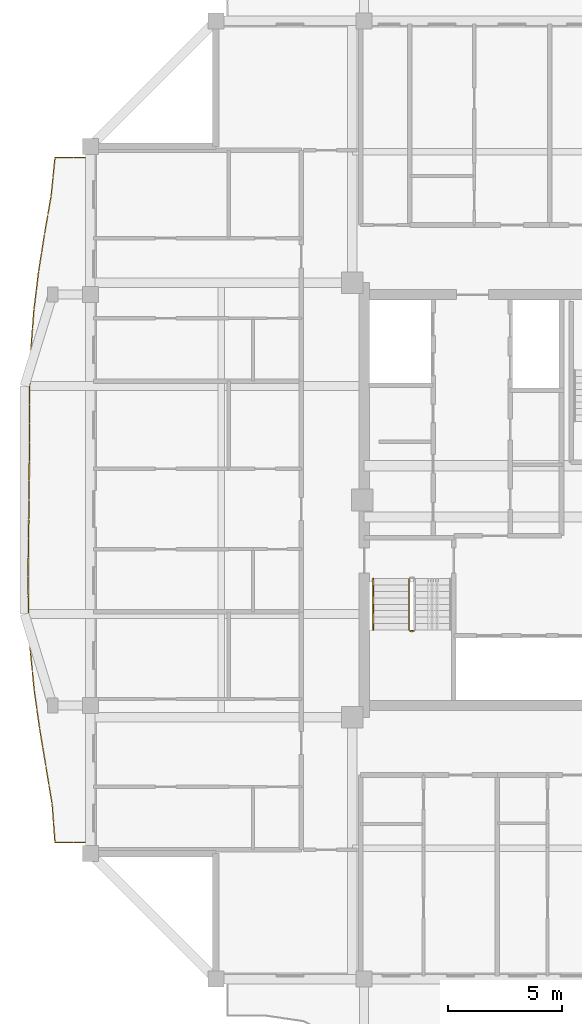
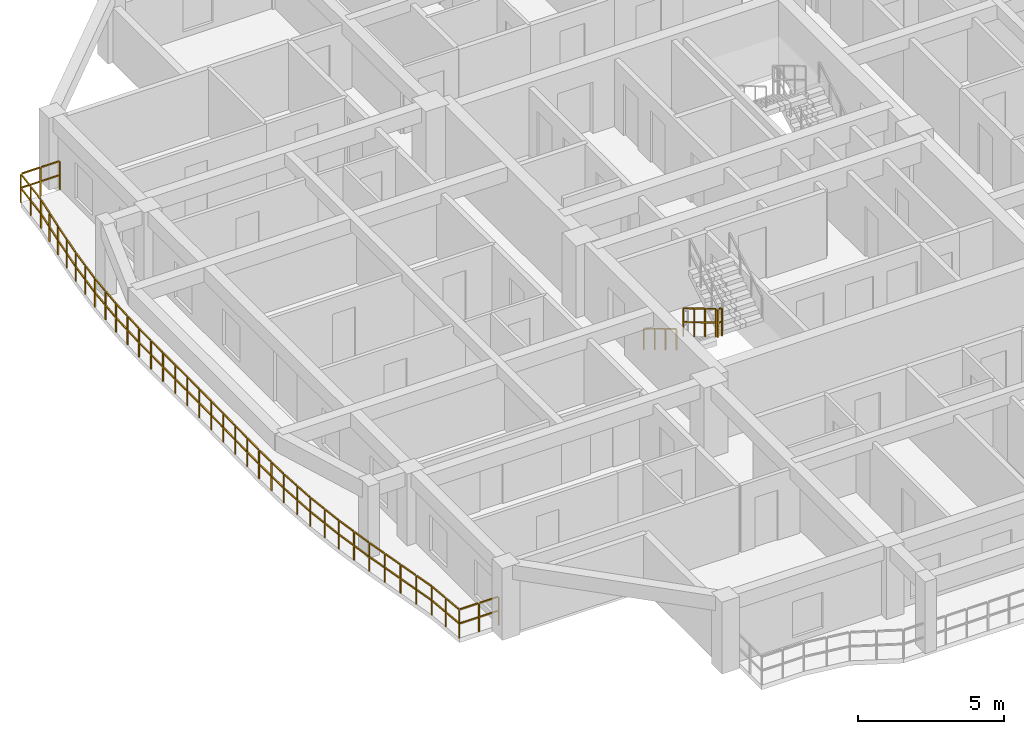
# One storey, part 11 of 14: 4 railings.
"""IFC4 building model written with IfcOpenShell, lengths in metres."""

from ifc_helpers import new_model, si_unit, direction, frame, origin, origin_2d, place, context, subcontext, project, spatial, rectangle, extrude, material, type_object, element, save


model = new_model("IFC4")

# Units and contexts
model_context = context("Model", 3, precision=1e-05, world=origin(), true_north=direction((0.0, 1.0)))
body_context = subcontext(model_context, "Body", "Model", "MODEL_VIEW")
ifc_project = project(units=[si_unit("LENGTHUNIT", "METRE"), si_unit("AREAUNIT", "SQUARE_METRE"), si_unit("VOLUMEUNIT", "CUBIC_METRE"), si_unit("PLANEANGLEUNIT", "RADIAN"), si_unit("MASSUNIT", "GRAM", prefix="KILO")], contexts=[model_context])

# Site, building, storey
site_placement = place(None, origin())
site = spatial("IfcSite", under=ifc_project, at=site_placement, CompositionType="ELEMENT")
building_placement = place(site_placement, origin())
building = spatial("IfcBuilding", under=site, at=building_placement, Name="Saelheon Loggia Tower", CompositionType="ELEMENT")
storey_placement = place(building_placement, frame((0.0, 0.0, 213.300048828125)))
storey = spatial("IfcBuildingStorey", under=building, at=storey_placement, Name="L66", CompositionType="ELEMENT", Elevation=213.300048828125)

# Railings
ifc_material_1 = material(Name="Architectural Precast Concrete and Laminated Glass Guard", Category="concrete")
railing_type_1 = type_object("IfcRailingType", Name="Guard_Loggia_RL_LOG", PredefinedType="BALUSTRADE", material=ifc_material_1)
railing_1_placement = place(storey_placement, frame((19.5, 42.0, 0.0)))
element("IfcRailing", 1, at=railing_1_placement, inside=storey, type_object=railing_type_1, Name="L66 West Loggia Balustrade", PredefinedType="BALUSTRADE", context=body_context, shape_type="SweptSolid", body=[
    extrude(rectangle(XDim=0.048095703125, YDim=0.048095703125, at=origin_2d()), frame((-0.033203125, 0.0, 1.19580078125), z_axis=(-1.0, 0.0, 0.0), x_axis=(0.0, -1.0, 0.0)), (0.0, 0.0, 1.0), 0.70849609375),
    extrude(rectangle(XDim=0.048095703125, YDim=0.048095703125, at=origin_2d()), frame((-0.033203125, 0.0, 0.60986328125), z_axis=(-1.0, 0.0, 0.0), x_axis=(0.0, -1.0, 0.0)), (0.0, 0.0, 1.0), 0.70849609375),
    extrude(rectangle(XDim=0.048095703125, YDim=0.048095703125, at=origin_2d()), frame((-0.808349609375, 0.0, 1.19580078125), z_axis=(-1.0, 0.0, 0.0), x_axis=(0.0, -1.0, 0.0)), (0.0, 0.0, 1.0), 0.70849609375),
    extrude(rectangle(XDim=0.048095703125, YDim=0.048095703125, at=origin_2d()), frame((-0.808349609375, 0.0, 0.60986328125), z_axis=(-1.0, 0.0, 0.0), x_axis=(0.0, -1.0, 0.0)), (0.0, 0.0, 1.0), 0.70849609375),
    extrude(rectangle(XDim=0.048095703125, YDim=0.048095703125, at=origin_2d()), frame((-1.553466796875, -0.032958984375, 1.19580078125), z_axis=(-0.100556993811, -0.994931299636, 0.0), x_axis=(0.994931299636, -0.100556993811, 0.0)), (0.0, 0.0, 1.0), 0.771240234375),
    extrude(rectangle(XDim=0.048095703125, YDim=0.048095703125, at=origin_2d()), frame((-1.553466796875, -0.032958984375, 0.60986328125), z_axis=(-0.100556993811, -0.994931299636, 0.0), x_axis=(0.994931299636, -0.100556993811, 0.0)), (0.0, 0.0, 1.0), 0.771240234375),
    extrude(rectangle(XDim=0.048095703125, YDim=0.048095703125, at=origin_2d()), frame((-1.6376953125, -0.866455078125, 1.19580078125), z_axis=(-0.100556993811, -0.994931299636, 0.0), x_axis=(0.994931299636, -0.100556993811, 0.0)), (0.0, 0.0, 1.0), 0.771240234375),
    extrude(rectangle(XDim=0.048095703125, YDim=0.048095703125, at=origin_2d()), frame((-1.6376953125, -0.866455078125, 0.60986328125), z_axis=(-0.100556993811, -0.994931299636, 0.0), x_axis=(0.994931299636, -0.100556993811, 0.0)), (0.0, 0.0, 1.0), 0.771240234375),
    extrude(rectangle(XDim=0.048095703125, YDim=0.048095703125, at=origin_2d()), frame((-1.72412109375, -1.699462890625, 1.19580078125), z_axis=(-0.171042688029, -0.985263618973, 0.0), x_axis=(0.985263618973, -0.171042688029, 0.0)), (0.0, 0.0, 1.0), 0.779296875),
    extrude(rectangle(XDim=0.048095703125, YDim=0.048095703125, at=origin_2d()), frame((-1.72412109375, -1.699462890625, 0.60986328125), z_axis=(-0.171042688029, -0.985263618973, 0.0), x_axis=(0.985263618973, -0.171042688029, 0.0)), (0.0, 0.0, 1.0), 0.779296875),
    extrude(rectangle(XDim=0.048095703125, YDim=0.048095703125, at=origin_2d()), frame((-1.868896484375, -2.53271484375, 1.19580078125), z_axis=(-0.171042688029, -0.985263618973, 0.0), x_axis=(0.985263618973, -0.171042688029, 0.0)), (0.0, 0.0, 1.0), 0.779296875),
    extrude(rectangle(XDim=0.048095703125, YDim=0.048095703125, at=origin_2d()), frame((-1.868896484375, -2.53271484375, 0.60986328125), z_axis=(-0.171042688029, -0.985263618973, 0.0), x_axis=(0.985263618973, -0.171042688029, 0.0)), (0.0, 0.0, 1.0), 0.779296875),
    extrude(rectangle(XDim=0.048095703125, YDim=0.048095703125, at=origin_2d()), frame((-2.012939453125, -3.365966796875, 1.19580078125), z_axis=(-0.155970003219, -0.987761792183, 0.0), x_axis=(0.987761792183, -0.155970003219, 0.0)), (0.0, 0.0, 1.0), 0.77734375),
    extrude(rectangle(XDim=0.048095703125, YDim=0.048095703125, at=origin_2d()), frame((-2.012939453125, -3.365966796875, 0.60986328125), z_axis=(-0.155970003219, -0.987761792183, 0.0), x_axis=(0.987761792183, -0.155970003219, 0.0)), (0.0, 0.0, 1.0), 0.77734375),
    extrude(rectangle(XDim=0.048095703125, YDim=0.048095703125, at=origin_2d()), frame((-2.14453125, -4.199462890625, 1.19580078125), z_axis=(-0.155970003219, -0.987761792183, 0.0), x_axis=(0.987761792183, -0.155970003219, 0.0)), (0.0, 0.0, 1.0), 0.77734375),
    extrude(rectangle(XDim=0.048095703125, YDim=0.048095703125, at=origin_2d()), frame((-2.14453125, -4.199462890625, 0.60986328125), z_axis=(-0.155970003219, -0.987761792183, 0.0), x_axis=(0.987761792183, -0.155970003219, 0.0)), (0.0, 0.0, 1.0), 0.77734375),
    extrude(rectangle(XDim=0.048095703125, YDim=0.048095703125, at=origin_2d()), frame((-2.27490234375, -5.032958984375, 1.19580078125), z_axis=(-0.12054414894, -0.992707967207, 0.0), x_axis=(0.992707967207, -0.12054414894, 0.0)), (0.0, 0.0, 1.0), 0.77294921875),
    extrude(rectangle(XDim=0.048095703125, YDim=0.048095703125, at=origin_2d()), frame((-2.27490234375, -5.032958984375, 0.60986328125), z_axis=(-0.12054414894, -0.992707967207, 0.0), x_axis=(0.992707967207, -0.12054414894, 0.0)), (0.0, 0.0, 1.0), 0.77294921875),
    extrude(rectangle(XDim=0.048095703125, YDim=0.048095703125, at=origin_2d()), frame((-2.376220703125, -5.866455078125, 1.19580078125), z_axis=(-0.12054414894, -0.992707967207, 0.0), x_axis=(0.992707967207, -0.12054414894, 0.0)), (0.0, 0.0, 1.0), 0.77294921875),
    extrude(rectangle(XDim=0.048095703125, YDim=0.048095703125, at=origin_2d()), frame((-2.376220703125, -5.866455078125, 0.60986328125), z_axis=(-0.12054414894, -0.992707967207, 0.0), x_axis=(0.992707967207, -0.12054414894, 0.0)), (0.0, 0.0, 1.0), 0.77294921875),
    extrude(rectangle(XDim=0.048095703125, YDim=0.048095703125, at=origin_2d()), frame((-2.475830078125, -6.699951171875, 1.19580078125), z_axis=(-0.075523507059, -0.997144021635, 0.0), x_axis=(0.997144021635, -0.075523507059, 0.0)), (0.0, 0.0, 1.0), 0.769287109375),
    extrude(rectangle(XDim=0.048095703125, YDim=0.048095703125, at=origin_2d()), frame((-2.475830078125, -6.699951171875, 0.60986328125), z_axis=(-0.075523507059, -0.997144021635, 0.0), x_axis=(0.997144021635, -0.075523507059, 0.0)), (0.0, 0.0, 1.0), 0.769287109375),
    extrude(rectangle(XDim=0.048095703125, YDim=0.048095703125, at=origin_2d()), frame((-2.5390625, -7.533203125, 1.19580078125), z_axis=(-0.075523507059, -0.997144021635, 0.0), x_axis=(0.997144021635, -0.075523507059, 0.0)), (0.0, 0.0, 1.0), 0.769287109375),
    extrude(rectangle(XDim=0.048095703125, YDim=0.048095703125, at=origin_2d()), frame((-2.5390625, -7.533203125, 0.60986328125), z_axis=(-0.075523507059, -0.997144021635, 0.0), x_axis=(0.997144021635, -0.075523507059, 0.0)), (0.0, 0.0, 1.0), 0.769287109375),
    extrude(rectangle(XDim=0.048095703125, YDim=0.048095703125, at=origin_2d()), frame((-2.600830078125, -8.366455078125, 1.19580078125), z_axis=(-0.034109333385, -0.999418107388, 0.0), x_axis=(0.999418107388, -0.034109333385, 0.0)), (0.0, 0.0, 1.0), 0.767333984375),
    extrude(rectangle(XDim=0.048095703125, YDim=0.048095703125, at=origin_2d()), frame((-2.600830078125, -8.366455078125, 0.60986328125), z_axis=(-0.034109333385, -0.999418107388, 0.0), x_axis=(0.999418107388, -0.034109333385, 0.0)), (0.0, 0.0, 1.0), 0.767333984375),
    extrude(rectangle(XDim=0.048095703125, YDim=0.048095703125, at=origin_2d()), frame((-2.629150390625, -9.199951171875, 1.19580078125), z_axis=(-0.034109333385, -0.999418107388, 0.0), x_axis=(0.999418107388, -0.034109333385, 0.0)), (0.0, 0.0, 1.0), 0.767333984375),
    extrude(rectangle(XDim=0.048095703125, YDim=0.048095703125, at=origin_2d()), frame((-2.629150390625, -9.199951171875, 0.60986328125), z_axis=(-0.034109333385, -0.999418107388, 0.0), x_axis=(0.999418107388, -0.034109333385, 0.0)), (0.0, 0.0, 1.0), 0.767333984375),
    extrude(rectangle(XDim=0.048095703125, YDim=0.048095703125, at=origin_2d()), frame((-2.65673828125, -10.033203125, 1.19580078125), z_axis=(-0.008348910706, -0.999965147238, 0.0), x_axis=(0.999965147238, -0.008348910706, 0.0)), (0.0, 0.0, 1.0), 0.766845703125),
    extrude(rectangle(XDim=0.048095703125, YDim=0.048095703125, at=origin_2d()), frame((-2.65673828125, -10.033203125, 0.60986328125), z_axis=(-0.008348910706, -0.999965147238, 0.0), x_axis=(0.999965147238, -0.008348910706, 0.0)), (0.0, 0.0, 1.0), 0.766845703125),
    extrude(rectangle(XDim=0.048095703125, YDim=0.048095703125, at=origin_2d()), frame((-2.663818359375, -10.86669921875, 1.19580078125), z_axis=(-0.008348910706, -0.999965147238, 0.0), x_axis=(0.999965147238, -0.008348910706, 0.0)), (0.0, 0.0, 1.0), 0.766845703125),
    extrude(rectangle(XDim=0.048095703125, YDim=0.048095703125, at=origin_2d()), frame((-2.663818359375, -10.86669921875, 0.60986328125), z_axis=(-0.008348910706, -0.999965147238, 0.0), x_axis=(0.999965147238, -0.008348910706, 0.0)), (0.0, 0.0, 1.0), 0.766845703125),
    extrude(rectangle(XDim=0.048095703125, YDim=0.048095703125, at=origin_2d()), frame((-2.67041015625, -11.699951171875, 1.19580078125), z_axis=(-0.00087899175, -0.999999613687, 0.0), x_axis=(0.999999613687, -0.00087899175, 0.0)), (0.0, 0.0, 1.0), 0.766845703125),
    extrude(rectangle(XDim=0.048095703125, YDim=0.048095703125, at=origin_2d()), frame((-2.67041015625, -11.699951171875, 0.60986328125), z_axis=(-0.00087899175, -0.999999613687, 0.0), x_axis=(0.999999613687, -0.00087899175, 0.0)), (0.0, 0.0, 1.0), 0.766845703125),
    extrude(rectangle(XDim=0.048095703125, YDim=0.048095703125, at=origin_2d()), frame((-2.671142578125, -12.533203125, 1.19580078125), z_axis=(-0.00087899175, -0.999999613687, 0.0), x_axis=(0.999999613687, -0.00087899175, 0.0)), (0.0, 0.0, 1.0), 0.766845703125),
    extrude(rectangle(XDim=0.048095703125, YDim=0.048095703125, at=origin_2d()), frame((-2.671142578125, -12.533203125, 0.60986328125), z_axis=(-0.00087899175, -0.999999613687, 0.0), x_axis=(0.999999613687, -0.00087899175, 0.0)), (0.0, 0.0, 1.0), 0.766845703125),
    extrude(rectangle(XDim=0.048095703125, YDim=0.048095703125, at=origin_2d()), frame((-2.672119140625, -13.366455078125, 1.19580078125), z_axis=(-0.007030732919, -0.999975284092, 0.0), x_axis=(0.999975284092, -0.007030732919, 0.0)), (0.0, 0.0, 1.0), 0.766845703125),
    extrude(rectangle(XDim=0.048095703125, YDim=0.048095703125, at=origin_2d()), frame((-2.672119140625, -13.366455078125, 0.60986328125), z_axis=(-0.007030732919, -0.999975284092, 0.0), x_axis=(0.999975284092, -0.007030732919, 0.0)), (0.0, 0.0, 1.0), 0.766845703125),
    extrude(rectangle(XDim=0.048095703125, YDim=0.048095703125, at=origin_2d()), frame((-2.677978515625, -14.199951171875, 1.19580078125), z_axis=(-0.007030732919, -0.999975284092, 0.0), x_axis=(0.999975284092, -0.007030732919, 0.0)), (0.0, 0.0, 1.0), 0.766845703125),
    extrude(rectangle(XDim=0.048095703125, YDim=0.048095703125, at=origin_2d()), frame((-2.677978515625, -14.199951171875, 0.60986328125), z_axis=(-0.007030732919, -0.999975284092, 0.0), x_axis=(0.999975284092, -0.007030732919, 0.0)), (0.0, 0.0, 1.0), 0.766845703125),
    extrude(rectangle(XDim=0.048095703125, YDim=0.048095703125, at=origin_2d()), frame((-2.68408203125, -15.033203125, 1.19580078125), z_axis=(-0.014353289095, -0.99989698624, 0.0), x_axis=(0.99989698624, -0.014353289095, 0.0)), (0.0, 0.0, 1.0), 0.76708984375),
    extrude(rectangle(XDim=0.048095703125, YDim=0.048095703125, at=origin_2d()), frame((-2.68408203125, -15.033203125, 0.60986328125), z_axis=(-0.014353289095, -0.99989698624, 0.0), x_axis=(0.99989698624, -0.014353289095, 0.0)), (0.0, 0.0, 1.0), 0.76708984375),
    extrude(rectangle(XDim=0.048095703125, YDim=0.048095703125, at=origin_2d()), frame((-2.696044921875, -15.86669921875, 1.19580078125), z_axis=(-0.014353289095, -0.99989698624, 0.0), x_axis=(0.99989698624, -0.014353289095, 0.0)), (0.0, 0.0, 1.0), 0.76708984375),
    extrude(rectangle(XDim=0.048095703125, YDim=0.048095703125, at=origin_2d()), frame((-2.696044921875, -15.86669921875, 0.60986328125), z_axis=(-0.014353289095, -0.99989698624, 0.0), x_axis=(0.99989698624, -0.014353289095, 0.0)), (0.0, 0.0, 1.0), 0.76708984375),
    extrude(rectangle(XDim=0.048095703125, YDim=0.048095703125, at=origin_2d()), frame((-2.7080078125, -16.699951171875, 1.19580078125), z_axis=(-0.011279680844, -0.999936382376, 0.0), x_axis=(0.999936382376, -0.011279680844, 0.0)), (0.0, 0.0, 1.0), 0.766845703125),
    extrude(rectangle(XDim=0.048095703125, YDim=0.048095703125, at=origin_2d()), frame((-2.7080078125, -16.699951171875, 0.60986328125), z_axis=(-0.011279680844, -0.999936382376, 0.0), x_axis=(0.999936382376, -0.011279680844, 0.0)), (0.0, 0.0, 1.0), 0.766845703125),
    extrude(rectangle(XDim=0.048095703125, YDim=0.048095703125, at=origin_2d()), frame((-2.71728515625, -17.533203125, 1.19580078125), z_axis=(-0.011279680844, -0.999936382376, 0.0), x_axis=(0.999936382376, -0.011279680844, 0.0)), (0.0, 0.0, 1.0), 0.766845703125),
    extrude(rectangle(XDim=0.048095703125, YDim=0.048095703125, at=origin_2d()), frame((-2.71728515625, -17.533203125, 0.60986328125), z_axis=(-0.011279680844, -0.999936382376, 0.0), x_axis=(0.999936382376, -0.011279680844, 0.0)), (0.0, 0.0, 1.0), 0.766845703125),
    extrude(rectangle(XDim=0.048095703125, YDim=0.048095703125, at=origin_2d()), frame((-2.72607421875, -18.366455078125, 1.19580078125), z_axis=(0.010692226024, -0.999942836517, 0.0), x_axis=(0.999942836517, 0.010692226024, 0.0)), (0.0, 0.0, 1.0), 0.766845703125),
    extrude(rectangle(XDim=0.048095703125, YDim=0.048095703125, at=origin_2d()), frame((-2.72607421875, -18.366455078125, 0.60986328125), z_axis=(0.010692226024, -0.999942836517, 0.0), x_axis=(0.999942836517, 0.010692226024, 0.0)), (0.0, 0.0, 1.0), 0.766845703125),
    extrude(rectangle(XDim=0.048095703125, YDim=0.048095703125, at=origin_2d()), frame((-2.717041015625, -19.199951171875, 1.19580078125), z_axis=(0.010692226024, -0.999942836517, 0.0), x_axis=(0.999942836517, 0.010692226024, 0.0)), (0.0, 0.0, 1.0), 0.766845703125),
    extrude(rectangle(XDim=0.048095703125, YDim=0.048095703125, at=origin_2d()), frame((-2.717041015625, -19.199951171875, 0.60986328125), z_axis=(0.010692226024, -0.999942836517, 0.0), x_axis=(0.999942836517, 0.010692226024, 0.0)), (0.0, 0.0, 1.0), 0.766845703125),
    extrude(rectangle(XDim=0.048095703125, YDim=0.048095703125, at=origin_2d()), frame((-2.706787109375, -20.033203125, 1.19580078125), z_axis=(0.050178396497, -0.998740270804, 0.0), x_axis=(0.998740270804, 0.050178396497, 0.0)), (0.0, 0.0, 1.0), 0.76806640625),
    extrude(rectangle(XDim=0.048095703125, YDim=0.048095703125, at=origin_2d()), frame((-2.706787109375, -20.033203125, 0.60986328125), z_axis=(0.050178396497, -0.998740270804, 0.0), x_axis=(0.998740270804, 0.050178396497, 0.0)), (0.0, 0.0, 1.0), 0.76806640625),
    extrude(rectangle(XDim=0.048095703125, YDim=0.048095703125, at=origin_2d()), frame((-2.6650390625, -20.866455078125, 1.19580078125), z_axis=(0.050178396497, -0.998740270804, 0.0), x_axis=(0.998740270804, 0.050178396497, 0.0)), (0.0, 0.0, 1.0), 0.76806640625),
    extrude(rectangle(XDim=0.048095703125, YDim=0.048095703125, at=origin_2d()), frame((-2.6650390625, -20.866455078125, 0.60986328125), z_axis=(0.050178396497, -0.998740270804, 0.0), x_axis=(0.998740270804, 0.050178396497, 0.0)), (0.0, 0.0, 1.0), 0.76806640625),
    extrude(rectangle(XDim=0.048095703125, YDim=0.048095703125, at=origin_2d()), frame((-2.62158203125, -21.69970703125, 1.19580078125), z_axis=(0.097684686156, -0.995217414483, 0.0), x_axis=(0.995217414483, 0.097684686156, 0.0)), (0.0, 0.0, 1.0), 0.770751953125),
    extrude(rectangle(XDim=0.048095703125, YDim=0.048095703125, at=origin_2d()), frame((-2.62158203125, -21.69970703125, 0.60986328125), z_axis=(0.097684686156, -0.995217414483, 0.0), x_axis=(0.995217414483, 0.097684686156, 0.0)), (0.0, 0.0, 1.0), 0.770751953125),
    extrude(rectangle(XDim=0.048095703125, YDim=0.048095703125, at=origin_2d()), frame((-2.539794921875, -22.532958984375, 1.19580078125), z_axis=(0.097684686156, -0.995217414483, 0.0), x_axis=(0.995217414483, 0.097684686156, 0.0)), (0.0, 0.0, 1.0), 0.770751953125),
    extrude(rectangle(XDim=0.048095703125, YDim=0.048095703125, at=origin_2d()), frame((-2.539794921875, -22.532958984375, 0.60986328125), z_axis=(0.097684686156, -0.995217414483, 0.0), x_axis=(0.995217414483, 0.097684686156, 0.0)), (0.0, 0.0, 1.0), 0.770751953125),
    extrude(rectangle(XDim=0.048095703125, YDim=0.048095703125, at=origin_2d()), frame((-2.45654296875, -23.3662109375, 1.19580078125), z_axis=(0.139532622052, -0.990217474792, 0.0), x_axis=(0.990217474792, 0.139532622052, 0.0)), (0.0, 0.0, 1.0), 0.775146484375),
    extrude(rectangle(XDim=0.048095703125, YDim=0.048095703125, at=origin_2d()), frame((-2.45654296875, -23.3662109375, 0.60986328125), z_axis=(0.139532622052, -0.990217474792, 0.0), x_axis=(0.990217474792, 0.139532622052, 0.0)), (0.0, 0.0, 1.0), 0.775146484375),
    extrude(rectangle(XDim=0.048095703125, YDim=0.048095703125, at=origin_2d()), frame((-2.339111328125, -24.199462890625, 1.19580078125), z_axis=(0.139532622052, -0.990217474792, 0.0), x_axis=(0.990217474792, 0.139532622052, 0.0)), (0.0, 0.0, 1.0), 0.775146484375),
    extrude(rectangle(XDim=0.048095703125, YDim=0.048095703125, at=origin_2d()), frame((-2.339111328125, -24.199462890625, 0.60986328125), z_axis=(0.139532622052, -0.990217474792, 0.0), x_axis=(0.990217474792, 0.139532622052, 0.0)), (0.0, 0.0, 1.0), 0.775146484375),
    extrude(rectangle(XDim=0.048095703125, YDim=0.048095703125, at=origin_2d()), frame((-2.220947265625, -25.03271484375, 1.19580078125), z_axis=(0.163297476344, -0.986576876994, 0.0), x_axis=(0.986576876994, 0.163297476344, 0.0)), (0.0, 0.0, 1.0), 0.7783203125),
    extrude(rectangle(XDim=0.048095703125, YDim=0.048095703125, at=origin_2d()), frame((-2.220947265625, -25.03271484375, 0.60986328125), z_axis=(0.163297476344, -0.986576876994, 0.0), x_axis=(0.986576876994, 0.163297476344, 0.0)), (0.0, 0.0, 1.0), 0.7783203125),
    extrude(rectangle(XDim=0.048095703125, YDim=0.048095703125, at=origin_2d()), frame((-2.0830078125, -25.8662109375, 1.19580078125), z_axis=(0.163297476344, -0.986576876994, 0.0), x_axis=(0.986576876994, 0.163297476344, 0.0)), (0.0, 0.0, 1.0), 0.7783203125),
    extrude(rectangle(XDim=0.048095703125, YDim=0.048095703125, at=origin_2d()), frame((-2.0830078125, -25.8662109375, 0.60986328125), z_axis=(0.163297476344, -0.986576876994, 0.0), x_axis=(0.986576876994, 0.163297476344, 0.0)), (0.0, 0.0, 1.0), 0.7783203125),
    extrude(rectangle(XDim=0.048095703125, YDim=0.048095703125, at=origin_2d()), frame((-1.945068359375, -26.699462890625, 1.19580078125), z_axis=(0.164164640298, -0.986432953057, 0.0), x_axis=(0.986432953057, 0.164164640298, 0.0)), (0.0, 0.0, 1.0), 0.7783203125),
    extrude(rectangle(XDim=0.048095703125, YDim=0.048095703125, at=origin_2d()), frame((-1.945068359375, -26.699462890625, 0.60986328125), z_axis=(0.164164640298, -0.986432953057, 0.0), x_axis=(0.986432953057, 0.164164640298, 0.0)), (0.0, 0.0, 1.0), 0.7783203125),
    extrude(rectangle(XDim=0.048095703125, YDim=0.048095703125, at=origin_2d()), frame((-1.806396484375, -27.53271484375, 1.19580078125), z_axis=(0.164164640298, -0.986432953057, 0.0), x_axis=(0.986432953057, 0.164164640298, 0.0)), (0.0, 0.0, 1.0), 0.7783203125),
    extrude(rectangle(XDim=0.048095703125, YDim=0.048095703125, at=origin_2d()), frame((-1.806396484375, -27.53271484375, 0.60986328125), z_axis=(0.164164640298, -0.986432953057, 0.0), x_axis=(0.986432953057, 0.164164640298, 0.0)), (0.0, 0.0, 1.0), 0.7783203125),
    extrude(rectangle(XDim=0.048095703125, YDim=0.048095703125, at=origin_2d()), frame((-1.670654296875, -28.366455078125, 1.19580078125), z_axis=(0.073624164853, -0.997286058435, 0.0), x_axis=(0.997286058435, 0.073624164853, 0.0)), (0.0, 0.0, 1.0), 0.769287109375),
    extrude(rectangle(XDim=0.048095703125, YDim=0.048095703125, at=origin_2d()), frame((-1.670654296875, -28.366455078125, 0.60986328125), z_axis=(0.073624164853, -0.997286058435, 0.0), x_axis=(0.997286058435, 0.073624164853, 0.0)), (0.0, 0.0, 1.0), 0.769287109375),
    extrude(rectangle(XDim=0.048095703125, YDim=0.048095703125, at=origin_2d()), frame((-1.609130859375, -29.19970703125, 1.19580078125), z_axis=(0.073624164853, -0.997286058435, 0.0), x_axis=(0.997286058435, 0.073624164853, 0.0)), (0.0, 0.0, 1.0), 0.769287109375),
    extrude(rectangle(XDim=0.048095703125, YDim=0.048095703125, at=origin_2d()), frame((-1.609130859375, -29.19970703125, 0.60986328125), z_axis=(0.073624164853, -0.997286058435, 0.0), x_axis=(0.997286058435, 0.073624164853, 0.0)), (0.0, 0.0, 1.0), 0.769287109375),
    extrude(rectangle(XDim=0.048095703125, YDim=0.048095703125, at=origin_2d()), frame((-1.516845703125, -30.0, 1.19580078125), z_axis=(1.0, 0.0, 0.0), x_axis=(0.0, 1.0, 0.0)), (0.0, 0.0, 1.0), 0.70849609375),
    extrude(rectangle(XDim=0.048095703125, YDim=0.048095703125, at=origin_2d()), frame((-1.516845703125, -30.0, 0.60986328125), z_axis=(1.0, 0.0, 0.0), x_axis=(0.0, 1.0, 0.0)), (0.0, 0.0, 1.0), 0.70849609375),
    extrude(rectangle(XDim=0.048095703125, YDim=0.048095703125, at=origin_2d()), frame((-0.74169921875, -30.0, 1.19580078125), z_axis=(1.0, 0.0, 0.0), x_axis=(0.0, 1.0, 0.0)), (0.0, 0.0, 1.0), 0.70849609375),
    extrude(rectangle(XDim=0.048095703125, YDim=0.048095703125, at=origin_2d()), frame((-0.74169921875, -30.0, 0.60986328125), z_axis=(1.0, 0.0, 0.0), x_axis=(0.0, 1.0, 0.0)), (0.0, 0.0, 1.0), 0.70849609375),
    extrude(rectangle(XDim=0.0419921875, YDim=0.0419921875, at=origin_2d()), origin(), (0.0, 0.0, 1.0), 1.16796875),
    extrude(rectangle(XDim=0.0419921875, YDim=0.0419921875, at=origin_2d()), frame((-0.77490234375, 0.0, 0.0)), (0.0, 0.0, 1.0), 1.16796875),
    extrude(rectangle(XDim=0.0419921875, YDim=0.0419921875, at=origin_2d()), frame((-1.550048828125, 0.0, 0.0)), (0.0, 0.0, 1.0), 1.16796875),
    extrude(rectangle(XDim=0.0419921875, YDim=0.0419921875, at=origin_2d()), frame((-1.63427734375, -0.83349609375, 0.0)), (0.0, 0.0, 1.0), 1.16796875),
    extrude(rectangle(XDim=0.0419921875, YDim=0.0419921875, at=origin_2d()), frame((-1.718505859375, -1.666748046875, 0.0)), (0.0, 0.0, 1.0), 1.16796875),
    extrude(rectangle(XDim=0.0419921875, YDim=0.0419921875, at=origin_2d()), frame((-1.86328125, -2.5, 0.0)), (0.0, 0.0, 1.0), 1.16796875),
    extrude(rectangle(XDim=0.0419921875, YDim=0.0419921875, at=origin_2d()), frame((-2.0078125, -3.333251953125, 0.0)), (0.0, 0.0, 1.0), 1.16796875),
    extrude(rectangle(XDim=0.0419921875, YDim=0.0419921875, at=origin_2d()), frame((-2.139404296875, -4.16650390625, 0.0)), (0.0, 0.0, 1.0), 1.16796875),
    extrude(rectangle(XDim=0.0419921875, YDim=0.0419921875, at=origin_2d()), frame((-2.27099609375, -5.0, 0.0)), (0.0, 0.0, 1.0), 1.16796875),
    extrude(rectangle(XDim=0.0419921875, YDim=0.0419921875, at=origin_2d()), frame((-2.3720703125, -5.83349609375, 0.0)), (0.0, 0.0, 1.0), 1.16796875),
    extrude(rectangle(XDim=0.0419921875, YDim=0.0419921875, at=origin_2d()), frame((-2.473388671875, -6.666748046875, 0.0)), (0.0, 0.0, 1.0), 1.16796875),
    extrude(rectangle(XDim=0.0419921875, YDim=0.0419921875, at=origin_2d()), frame((-2.53662109375, -7.5, 0.0)), (0.0, 0.0, 1.0), 1.16796875),
    extrude(rectangle(XDim=0.0419921875, YDim=0.0419921875, at=origin_2d()), frame((-2.599609375, -8.333251953125, 0.0)), (0.0, 0.0, 1.0), 1.16796875),
    extrude(rectangle(XDim=0.0419921875, YDim=0.0419921875, at=origin_2d()), frame((-2.6279296875, -9.16650390625, 0.0)), (0.0, 0.0, 1.0), 1.16796875),
    extrude(rectangle(XDim=0.0419921875, YDim=0.0419921875, at=origin_2d()), frame((-2.656494140625, -10.0, 0.0)), (0.0, 0.0, 1.0), 1.16796875),
    extrude(rectangle(XDim=0.0419921875, YDim=0.0419921875, at=origin_2d()), frame((-2.66357421875, -10.83349609375, 0.0)), (0.0, 0.0, 1.0), 1.16796875),
    extrude(rectangle(XDim=0.0419921875, YDim=0.0419921875, at=origin_2d()), frame((-2.67041015625, -11.666748046875, 0.0)), (0.0, 0.0, 1.0), 1.16796875),
    extrude(rectangle(XDim=0.0419921875, YDim=0.0419921875, at=origin_2d()), frame((-2.671142578125, -12.5, 0.0)), (0.0, 0.0, 1.0), 1.16796875),
    extrude(rectangle(XDim=0.0419921875, YDim=0.0419921875, at=origin_2d()), frame((-2.671875, -13.333251953125, 0.0)), (0.0, 0.0, 1.0), 1.16796875),
    extrude(rectangle(XDim=0.0419921875, YDim=0.0419921875, at=origin_2d()), frame((-2.677734375, -14.16650390625, 0.0)), (0.0, 0.0, 1.0), 1.16796875),
    extrude(rectangle(XDim=0.0419921875, YDim=0.0419921875, at=origin_2d()), frame((-2.68359375, -15.0, 0.0)), (0.0, 0.0, 1.0), 1.16796875),
    extrude(rectangle(XDim=0.0419921875, YDim=0.0419921875, at=origin_2d()), frame((-2.695556640625, -15.83349609375, 0.0)), (0.0, 0.0, 1.0), 1.16796875),
    extrude(rectangle(XDim=0.0419921875, YDim=0.0419921875, at=origin_2d()), frame((-2.70751953125, -16.666748046875, 0.0)), (0.0, 0.0, 1.0), 1.16796875),
    extrude(rectangle(XDim=0.0419921875, YDim=0.0419921875, at=origin_2d()), frame((-2.716796875, -17.5, 0.0)), (0.0, 0.0, 1.0), 1.16796875),
    extrude(rectangle(XDim=0.0419921875, YDim=0.0419921875, at=origin_2d()), frame((-2.726318359375, -18.333251953125, 0.0)), (0.0, 0.0, 1.0), 1.16796875),
    extrude(rectangle(XDim=0.0419921875, YDim=0.0419921875, at=origin_2d()), frame((-2.71728515625, -19.16650390625, 0.0)), (0.0, 0.0, 1.0), 1.16796875),
    extrude(rectangle(XDim=0.0419921875, YDim=0.0419921875, at=origin_2d()), frame((-2.70849609375, -20.0, 0.0)), (0.0, 0.0, 1.0), 1.16796875),
    extrude(rectangle(XDim=0.0419921875, YDim=0.0419921875, at=origin_2d()), frame((-2.66650390625, -20.83349609375, 0.0)), (0.0, 0.0, 1.0), 1.16796875),
    extrude(rectangle(XDim=0.0419921875, YDim=0.0419921875, at=origin_2d()), frame((-2.624755859375, -21.666748046875, 0.0)), (0.0, 0.0, 1.0), 1.16796875),
    extrude(rectangle(XDim=0.0419921875, YDim=0.0419921875, at=origin_2d()), frame((-2.54296875, -22.5, 0.0)), (0.0, 0.0, 1.0), 1.16796875),
    extrude(rectangle(XDim=0.0419921875, YDim=0.0419921875, at=origin_2d()), frame((-2.461181640625, -23.333251953125, 0.0)), (0.0, 0.0, 1.0), 1.16796875),
    extrude(rectangle(XDim=0.0419921875, YDim=0.0419921875, at=origin_2d()), frame((-2.34375, -24.16650390625, 0.0)), (0.0, 0.0, 1.0), 1.16796875),
    extrude(rectangle(XDim=0.0419921875, YDim=0.0419921875, at=origin_2d()), frame((-2.226318359375, -25.0, 0.0)), (0.0, 0.0, 1.0), 1.16796875),
    extrude(rectangle(XDim=0.0419921875, YDim=0.0419921875, at=origin_2d()), frame((-2.08837890625, -25.83349609375, 0.0)), (0.0, 0.0, 1.0), 1.16796875),
    extrude(rectangle(XDim=0.0419921875, YDim=0.0419921875, at=origin_2d()), frame((-1.950439453125, -26.666748046875, 0.0)), (0.0, 0.0, 1.0), 1.16796875),
    extrude(rectangle(XDim=0.0419921875, YDim=0.0419921875, at=origin_2d()), frame((-1.811767578125, -27.5, 0.0)), (0.0, 0.0, 1.0), 1.16796875),
    extrude(rectangle(XDim=0.0419921875, YDim=0.0419921875, at=origin_2d()), frame((-1.673095703125, -28.333251953125, 0.0)), (0.0, 0.0, 1.0), 1.16796875),
    extrude(rectangle(XDim=0.0419921875, YDim=0.0419921875, at=origin_2d()), frame((-1.611572265625, -29.16650390625, 0.0)), (0.0, 0.0, 1.0), 1.16796875),
    extrude(rectangle(XDim=0.0419921875, YDim=0.0419921875, at=origin_2d()), frame((-1.550048828125, -30.0, 0.0)), (0.0, 0.0, 1.0), 1.16796875),
    extrude(rectangle(XDim=0.0419921875, YDim=0.0419921875, at=origin_2d()), frame((-0.77490234375, -30.0, 0.0)), (0.0, 0.0, 1.0), 1.16796875),
    extrude(rectangle(XDim=0.0419921875, YDim=0.0419921875, at=origin_2d()), frame((0.0, -30.0, 0.0)), (0.0, 0.0, 1.0), 1.16796875),
])
ifc_material_2 = material(Name="Galvanised Steel S275 Stairwell Guardrail", Category="steel")
railing_type_2 = type_object("IfcRailingType", Name="Guard_StairWell_RL_STG", PredefinedType="GUARDRAIL", material=ifc_material_2)
railing_2_placement = place(storey_placement, frame((33.4599609375, 23.550048828125, 0.16650390625)))
element("IfcRailing", 2, at=railing_2_placement, inside=storey, type_object=railing_type_2, Name="L66 ST1 stair guard 1", PredefinedType="GUARDRAIL", context=body_context, shape_type="SweptSolid", body=[
    extrude(rectangle(XDim=0.048095703125, YDim=0.048095703125, at=origin_2d()), frame((0.0, -0.028564453125, 1.19287109375), z_axis=(0.0, -0.859264461869, 0.511531606619), x_axis=(1.0, 0.0, 0.0)), (0.0, 0.0, 1.0), 0.802490234375),
    extrude(rectangle(XDim=0.048095703125, YDim=0.048095703125, at=origin_2d()), frame((0.0, -0.028564453125, 0.616943359375), z_axis=(0.0, -0.859264461869, 0.511531606619), x_axis=(1.0, 0.0, 0.0)), (0.0, 0.0, 1.0), 0.802490234375),
    extrude(rectangle(XDim=0.048095703125, YDim=0.048095703125, at=origin_2d()), frame((0.0, -0.775146484375, 1.637451171875), z_axis=(0.0, -0.859264461869, 0.511531606619), x_axis=(1.0, 0.0, 0.0)), (0.0, 0.0, 1.0), 0.802490234375),
    extrude(rectangle(XDim=0.048095703125, YDim=0.048095703125, at=origin_2d()), frame((0.0, -0.775146484375, 1.0615234375), z_axis=(0.0, -0.859264461869, 0.511531606619), x_axis=(1.0, 0.0, 0.0)), (0.0, 0.0, 1.0), 0.802490234375),
    extrude(rectangle(XDim=0.048095703125, YDim=0.048095703125, at=origin_2d()), frame((0.0, -1.52197265625, 2.081787109375), z_axis=(0.0, -0.859264461869, 0.511531606619), x_axis=(1.0, 0.0, 0.0)), (0.0, 0.0, 1.0), 0.802490234375),
    extrude(rectangle(XDim=0.048095703125, YDim=0.048095703125, at=origin_2d()), frame((0.0, -1.52197265625, 1.505859375), z_axis=(0.0, -0.859264461869, 0.511531606619), x_axis=(1.0, 0.0, 0.0)), (0.0, 0.0, 1.0), 0.802490234375),
    extrude(rectangle(XDim=0.0419921875, YDim=0.0419921875, at=origin_2d()), origin(), (0.0, 0.0, 1.0), 1.14794921875),
    extrude(rectangle(XDim=0.0419921875, YDim=0.0419921875, at=origin_2d()), frame((0.0, -0.74658203125, 0.444580078125)), (0.0, 0.0, 1.0), 1.14794921875),
    extrude(rectangle(XDim=0.0419921875, YDim=0.0419921875, at=origin_2d()), frame((0.0, -1.493408203125, 0.888916015625)), (0.0, 0.0, 1.0), 1.14794921875),
    extrude(rectangle(XDim=0.0419921875, YDim=0.0419921875, at=origin_2d()), frame((0.0, -2.239990234375, 1.33349609375)), (0.0, 0.0, 1.0), 1.14794921875),
])
railing_3_placement = place(storey_placement, frame((33.510009765625, 21.260009765625, 1.5)))
element("IfcRailing", 3, at=railing_3_placement, inside=storey, type_object=railing_type_2, Name="L66 ST1 stair guard 2", PredefinedType="GUARDRAIL", context=body_context, shape_type="SweptSolid", body=[
    extrude(rectangle(XDim=0.048095703125, YDim=0.048095703125, at=origin_2d()), frame((0.033203125, 0.0, 1.17578125), z_axis=(1.0, 0.0, 0.0), x_axis=(0.0, 1.0, 0.0)), (0.0, 0.0, 1.0), 0.093505859375),
    extrude(rectangle(XDim=0.048095703125, YDim=0.048095703125, at=origin_2d()), frame((0.033203125, 0.0, 0.60009765625), z_axis=(1.0, 0.0, 0.0), x_axis=(0.0, 1.0, 0.0)), (0.0, 0.0, 1.0), 0.093505859375),
    extrude(rectangle(XDim=0.0419921875, YDim=0.0419921875, at=origin_2d()), origin(), (0.0, 0.0, 1.0), 1.14794921875),
    extrude(rectangle(XDim=0.0419921875, YDim=0.0419921875, at=origin_2d()), frame((0.159912109375, 0.0, 0.0)), (0.0, 0.0, 1.0), 1.14794921875),
])
ifc_material_3 = material(Name="Stainless Steel 304 Tubular Handrail", Category="steel")
railing_type_3 = type_object("IfcRailingType", Name="Handrail_Stair_RL_HR1", PredefinedType="HANDRAIL", material=ifc_material_3)
railing_4_placement = place(storey_placement, frame((31.89990234375, 23.550048828125, 0.16650390625)))
element("IfcRailing", 4, at=railing_4_placement, inside=storey, type_object=railing_type_3, Name="L66 ST1 stair handrail 1", PredefinedType="HANDRAIL", context=body_context, shape_type="SweptSolid", body=[
    extrude(rectangle(XDim=0.048095703125, YDim=0.048095703125, at=origin_2d()), frame((0.0, -0.028564453125, 0.892822265625), z_axis=(0.0, -0.859264461869, 0.511531606619), x_axis=(1.0, 0.0, 0.0)), (0.0, 0.0, 1.0), 0.802490234375),
    extrude(rectangle(XDim=0.048095703125, YDim=0.048095703125, at=origin_2d()), frame((0.0, -0.775146484375, 1.33740234375), z_axis=(0.0, -0.859264461869, 0.511531606619), x_axis=(1.0, 0.0, 0.0)), (0.0, 0.0, 1.0), 0.802490234375),
    extrude(rectangle(XDim=0.048095703125, YDim=0.048095703125, at=origin_2d()), frame((0.0, -1.52197265625, 1.78173828125), z_axis=(0.0, -0.859264461869, 0.511531606619), x_axis=(1.0, 0.0, 0.0)), (0.0, 0.0, 1.0), 0.802490234375),
    extrude(rectangle(XDim=0.0419921875, YDim=0.0419921875, at=origin_2d()), origin(), (0.0, 0.0, 1.0), 0.847900390625),
    extrude(rectangle(XDim=0.0419921875, YDim=0.0419921875, at=origin_2d()), frame((0.0, -0.74658203125, 0.444580078125)), (0.0, 0.0, 1.0), 0.847900390625),
    extrude(rectangle(XDim=0.0419921875, YDim=0.0419921875, at=origin_2d()), frame((0.0, -1.493408203125, 0.888916015625)), (0.0, 0.0, 1.0), 0.847900390625),
    extrude(rectangle(XDim=0.0419921875, YDim=0.0419921875, at=origin_2d()), frame((0.0, -2.239990234375, 1.33349609375)), (0.0, 0.0, 1.0), 0.847900390625),
])

save(model, "model.ifc")
